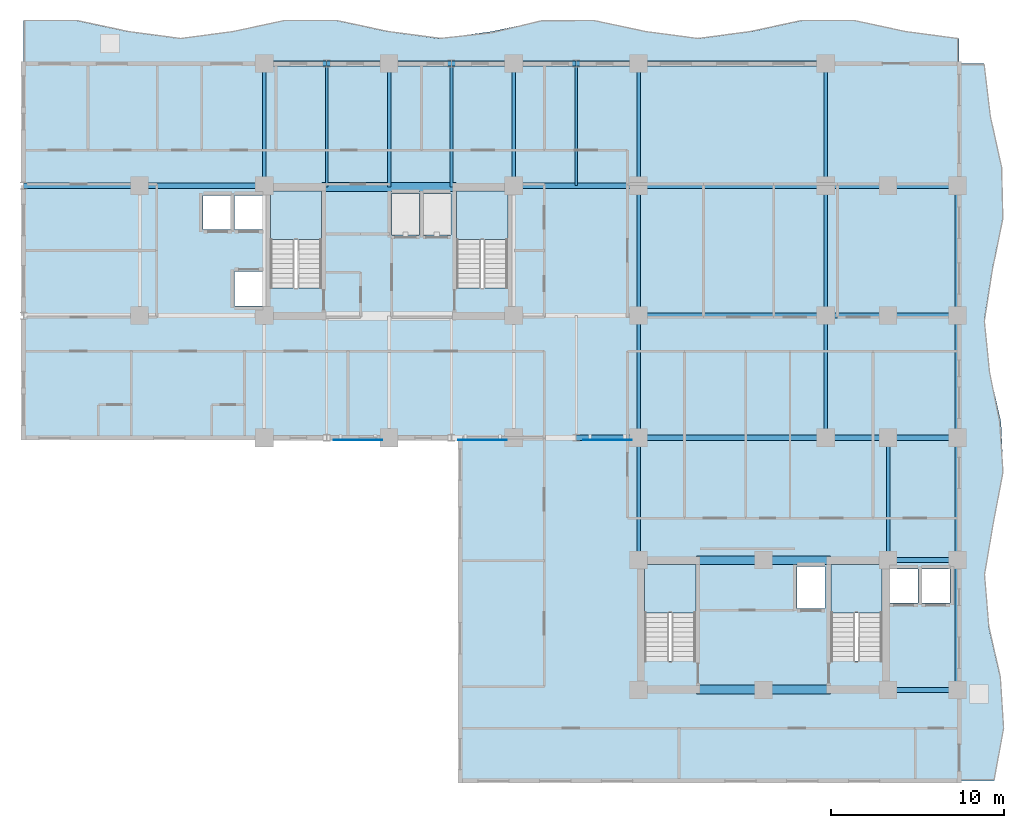
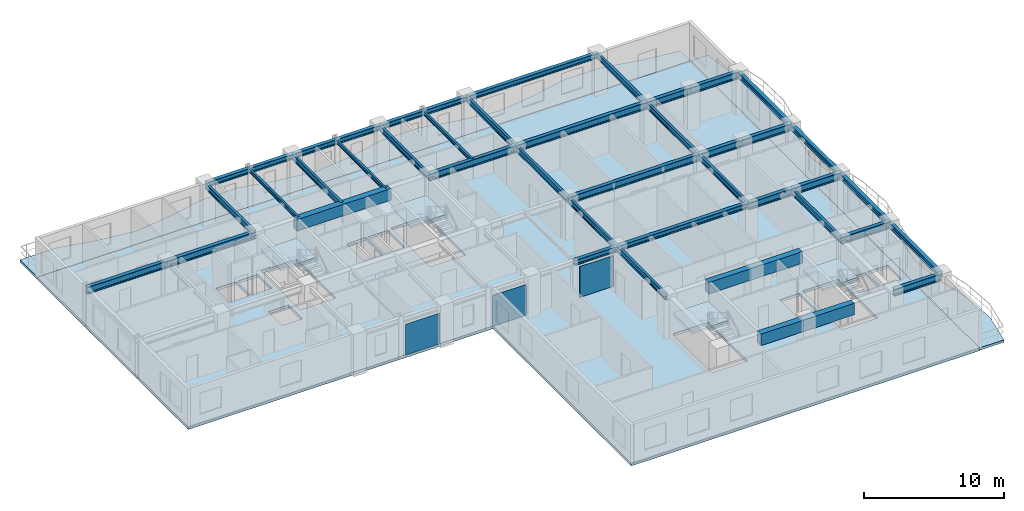
# One storey, part 3 of 14: 43 beams, 7 slabs, 3 plates, 4 elements without a shape of their own.
"""IFC4 building model written with IfcOpenShell, lengths in metres."""

import ifcopenshell
import ifcopenshell.guid

model = None  # the IFC model being written
_history = None  # IfcOwnerHistory: only IFC2X3 demands one
_inside = {}  # id of a spatial element -> (the spatial element, [elements in it])
_under = {}  # id of a project, library or spatial element -> (it, [spatial elements below it])
_declared = {}  # id of a project -> (the project, [libraries it declares])
_typed = {}  # id of a type object -> (the type object, [elements of that type])
_made_of = {}  # id of a material, layer set ... -> (it, [elements and type objects made of it])


def new_model(schema):
    """Start an empty IFC model of exactly this schema.

    Asked for "IFC4X3", IfcOpenShell would pick the latest addendum, in which some entities
    have other attributes; the version numbers below select the first issue.
    IFC2X3 requires an IfcOwnerHistory on every rooted entity: one is made here for all.
    """
    global model, _history
    if schema == "IFC4X3":
        model = ifcopenshell.file(schema_version=(4, 3, 0, 0))
    else:
        model = ifcopenshell.file(schema=schema)
    _inside.clear()
    _under.clear()
    _declared.clear()
    _typed.clear()
    _made_of.clear()
    _history = None
    if model.schema == "IFC2X3":
        org = make("IfcOrganization", Name="unknown")
        user = make(
            "IfcPersonAndOrganization",
            ThePerson=make("IfcPerson", FamilyName="unknown"),
            TheOrganization=org,
        )
        app = make(
            "IfcApplication",
            ApplicationDeveloper=org,
            Version="unknown",
            ApplicationFullName="unknown",
            ApplicationIdentifier="unknown",
        )
        _history = make(
            "IfcOwnerHistory",
            OwningUser=user,
            OwningApplication=app,
            ChangeAction="ADDED",
            CreationDate=0,
        )
    return model


def make(cls, **values):
    """One entity of the class cls with the attributes given. An attribute that is None is left unset."""
    return model.create_entity(
        cls, **{name: value for name, value in values.items() if value is not None}
    )


def rooted(cls, **values):
    """An entity with a GlobalId (a new one), such as an element, a storey or a relation."""
    return make(cls, GlobalId=ifcopenshell.guid.new(), OwnerHistory=_history, **values)


def si_unit(unit_type, name, prefix=None):
    """IfcSIUnit, for example si_unit("LENGTHUNIT", "METRE", prefix="MILLI")."""
    return make("IfcSIUnit", UnitType=unit_type, Prefix=prefix, Name=name)


def assignment(units):
    """IfcUnitAssignment: the units of a project."""
    return None if units is None else make("IfcUnitAssignment", Units=units)


def point(xyz):
    """IfcCartesianPoint."""
    return None if xyz is None else make("IfcCartesianPoint", Coordinates=xyz)


def direction(xyz):
    """IfcDirection."""
    return None if xyz is None else make("IfcDirection", DirectionRatios=xyz)


def frame(location, z_axis=None, x_axis=None):
    """IfcAxis2Placement3D, a coordinate frame: its origin and axes. An axis left out is left unset."""
    return make(
        "IfcAxis2Placement3D",
        Location=point(location),
        Axis=direction(z_axis),
        RefDirection=direction(x_axis),
    )


def frame_2d(location, x_axis=None):
    """IfcAxis2Placement2D, a coordinate frame in the plane: its origin and x axis."""
    return make(
        "IfcAxis2Placement2D", Location=point(location), RefDirection=direction(x_axis)
    )


def origin():
    """The frame at (0, 0, 0) with its axes left unset."""
    return frame((0.0, 0.0, 0.0))


def origin_2d():
    """The frame at (0, 0) in the plane with its x axis left unset."""
    return frame_2d((0.0, 0.0))


def place(relative_to, where):
    """IfcLocalPlacement: puts the frame where relative to a parent placement (None: the world)."""
    return make(
        "IfcLocalPlacement", PlacementRelTo=relative_to, RelativePlacement=where
    )


def context(
    kind, dimensions, precision=None, world=None, true_north=None, identifier=None
):
    """IfcGeometricRepresentationContext, for example the 3D "Model" context."""
    return make(
        "IfcGeometricRepresentationContext",
        ContextIdentifier=identifier,
        ContextType=kind,
        CoordinateSpaceDimension=dimensions,
        Precision=precision,
        WorldCoordinateSystem=world,
        TrueNorth=true_north,
    )


def subcontext(parent, identifier, kind, view, scale=None):
    """IfcGeometricRepresentationSubContext, for example "Body" below "Model"."""
    return make(
        "IfcGeometricRepresentationSubContext",
        ContextIdentifier=identifier,
        ContextType=kind,
        ParentContext=parent,
        TargetScale=scale,
        TargetView=view,
    )


def project(units=None, contexts=None):
    """IfcProject with its units and contexts."""
    return rooted(
        "IfcProject",
        Name="project",
        RepresentationContexts=contexts,
        UnitsInContext=assignment(units),
    )


def spatial(cls, under=None, at=None, **own):
    """A site, building, storey or space (cls), placed at a placement, below another one or the project."""
    s = rooted(cls, ObjectPlacement=at, **own)
    if under is not None:
        _under.setdefault(under.id(), (under, []))[1].append(s)
    return s


def polyline(points):
    """IfcPolyline through the points."""
    return make("IfcPolyline", Points=[point(p) for p in points])


def profile(cls, at=None, kind="AREA", **sizes):
    """A parametric profile (cls). Its sizes go by their IFC names, for example OverallWidth=200.0."""
    return make(cls, ProfileType=kind, Position=at, **sizes)


def rectangle(**sizes):
    """IfcRectangleProfileDef."""
    return profile("IfcRectangleProfileDef", **sizes)


def i_section(**sizes):
    """IfcIShapeProfileDef."""
    return profile("IfcIShapeProfileDef", **sizes)


def outline(outer, holes=None, kind="AREA"):
    """IfcArbitraryClosedProfileDef: a profile drawn as a closed curve; with holes, ...WithVoids."""
    if holes is None:
        return make("IfcArbitraryClosedProfileDef", ProfileType=kind, OuterCurve=outer)
    return make(
        "IfcArbitraryProfileDefWithVoids",
        ProfileType=kind,
        OuterCurve=outer,
        InnerCurves=holes,
    )


def extrude(swept, where, along, depth):
    """IfcExtrudedAreaSolid: the profile swept, set in the frame where, extruded along a direction by depth."""
    return make(
        "IfcExtrudedAreaSolid",
        SweptArea=swept,
        Position=where,
        ExtrudedDirection=direction(along),
        Depth=depth,
    )


def shape(context_of_items, identifier, shape_type, items):
    """IfcShapeRepresentation: the items that make up one representation, for example the "Body"."""
    return make(
        "IfcShapeRepresentation",
        ContextOfItems=context_of_items,
        RepresentationIdentifier=identifier,
        RepresentationType=shape_type,
        Items=items,
    )


def source(mapping_origin, context_of_items, identifier, shape_type, items):
    """IfcRepresentationMap: a shape defined once, which mapped items show again and again."""
    return make(
        "IfcRepresentationMap",
        MappingOrigin=mapping_origin,
        MappedRepresentation=shape(context_of_items, identifier, shape_type, items),
    )


def transform(
    local_origin,
    x_axis=None,
    y_axis=None,
    z_axis=None,
    scale=None,
    scale2=None,
    scale3=None,
    uniform=True,
):
    """IfcCartesianTransformationOperator3D, or its non-uniform kind. x_axis, y_axis, z_axis: its Axis1, 2, 3."""
    if uniform:
        return make(
            "IfcCartesianTransformationOperator3D",
            Axis1=direction(x_axis),
            Axis2=direction(y_axis),
            LocalOrigin=point(local_origin),
            Scale=scale,
            Axis3=direction(z_axis),
        )
    return make(
        "IfcCartesianTransformationOperator3DnonUniform",
        Axis1=direction(x_axis),
        Axis2=direction(y_axis),
        LocalOrigin=point(local_origin),
        Scale=scale,
        Axis3=direction(z_axis),
        Scale2=scale2,
        Scale3=scale3,
    )


def mapped(mapping_source, mapping_target):
    """IfcMappedItem: shows the shape of a source again, moved by a transform."""
    return make(
        "IfcMappedItem", MappingSource=mapping_source, MappingTarget=mapping_target
    )


def material(Name=None, Category=None):
    """IfcMaterial."""
    return make("IfcMaterial", Name=Name, Category=Category)


def layer(
    of_material, thickness, ventilated=None, Name=None, Category=None, Priority=None
):
    """IfcMaterialLayer: one layer of a wall or slab, of a material (None: an air gap)."""
    return make(
        "IfcMaterialLayer",
        Material=of_material,
        LayerThickness=thickness,
        IsVentilated=ventilated,
        Name=Name,
        Category=Category,
        Priority=Priority,
    )


def layer_set(layers, Name=None):
    """IfcMaterialLayerSet."""
    return make("IfcMaterialLayerSet", MaterialLayers=layers, LayerSetName=Name)


def material_profile(
    of_material, cross_section, Name=None, Category=None, Priority=None
):
    """IfcMaterialProfile: a cross section and its material."""
    return make(
        "IfcMaterialProfile",
        Name=Name,
        Material=of_material,
        Profile=cross_section,
        Priority=Priority,
        Category=Category,
    )


def profile_set(profiles, Name=None, composite=None):
    """IfcMaterialProfileSet."""
    return make(
        "IfcMaterialProfileSet",
        Name=Name,
        MaterialProfiles=profiles,
        CompositeProfile=composite,
    )


def made_of(thing, what):
    """Note that an element or type object is made of a material, layer set ...; save() writes the relation."""
    if what is not None:
        _made_of.setdefault(what.id(), (what, []))[1].append(thing)
    return thing


def type_object(cls, material=None, **own):
    """A type object (cls), such as IfcWallType, which elements share."""
    return made_of(rooted(cls, **own), material)


def element(
    cls,
    number,
    at=None,
    inside=None,
    cuts=None,
    type_object=None,
    material=None,
    context=None,
    identifier="Body",
    shape_type=None,
    held_by="IfcProductDefinitionShape",
    body=None,
    shapes=None,
    **own,
):
    """One element of the class cls, such as IfcWall. Its Tag is "e" and its number.

    at: its placement. inside: the storey or other place that contains it. cuts: it is an
    opening in that element (IfcRelVoidsElement). A single representation is given by context,
    identifier, shape_type and body (its items); several are given by shapes. held_by: the class
    of the entity that holds the representations. save() writes the other relations.
    """
    e = rooted(cls, Tag="e%d" % number, ObjectPlacement=at, **own)
    if body is not None:
        shapes = [shape(context, identifier, shape_type, body)]
    if shapes is not None:
        e.Representation = make(held_by, Representations=shapes)
    if inside is not None:
        _inside.setdefault(inside.id(), (inside, []))[1].append(e)
    if cuts is not None:
        rooted(
            "IfcRelVoidsElement", RelatingBuildingElement=cuts, RelatedOpeningElement=e
        )
    if type_object is not None:
        _typed.setdefault(type_object.id(), (type_object, []))[1].append(e)
    return made_of(e, material)


def aggregate(whole, parts):
    """IfcRelAggregates: a whole, such as a stair, and the parts it consists of."""
    return rooted("IfcRelAggregates", RelatingObject=whole, RelatedObjects=parts)


def save(model, path):
    """Write the relations noted so far, then the file.

    IfcRelAggregates (storeys below a building ...), IfcRelContainedInSpatialStructure (elements
    in a storey), IfcRelDefinesByType, IfcRelAssociatesMaterial and IfcRelDeclares: one each for
    every whole, place, type object, material and project.
    """
    for whole, parts in _under.values():
        aggregate(whole, parts)
    for where, things in _inside.values():
        rooted(
            "IfcRelContainedInSpatialStructure",
            RelatedElements=things,
            RelatingStructure=where,
        )
    for kind, things in _typed.values():
        rooted("IfcRelDefinesByType", RelatedObjects=things, RelatingType=kind)
    for what, things in _made_of.values():
        rooted("IfcRelAssociatesMaterial", RelatedObjects=things, RelatingMaterial=what)
    for by, libraries in _declared.values():
        rooted("IfcRelDeclares", RelatingContext=by, RelatedDefinitions=libraries)
    model.write(path)


model = new_model("IFC4")

# Units and contexts
model_context = context("Model", 3, precision=1e-05, world=origin(), true_north=direction((0.0, 1.0)))
body_context = subcontext(model_context, "Body", "Model", "MODEL_VIEW")
ifc_project = project(units=[si_unit("LENGTHUNIT", "METRE"), si_unit("AREAUNIT", "SQUARE_METRE"), si_unit("VOLUMEUNIT", "CUBIC_METRE"), si_unit("PLANEANGLEUNIT", "RADIAN"), si_unit("MASSUNIT", "GRAM", prefix="KILO")], contexts=[model_context])

# Site, building, storey
site_placement = place(None, origin())
site = spatial("IfcSite", under=ifc_project, at=site_placement, CompositionType="ELEMENT")
building_placement = place(site_placement, origin())
building = spatial("IfcBuilding", under=site, at=building_placement, Name="Kaliganga Portal Commons", CompositionType="ELEMENT")
storey_placement = place(building_placement, frame((0.0, 0.0, 151.300048828125)))
storey = spatial("IfcBuildingStorey", under=building, at=storey_placement, Name="L38", CompositionType="ELEMENT", Elevation=151.300048828125)

# Beams
ifc_material_1 = material(Name="Concrete C50/60", Category="concrete")
ifc_material_profile_1 = material_profile(ifc_material_1, rectangle(XDim=0.5, YDim=1.0, at=origin_2d()), Name="RC 500x1000")
ifc_profile_set_1 = profile_set([ifc_material_profile_1], Name="Concrete C50/60")
beam_type_1 = type_object("IfcBeamType", Name="BM-CPL-1000", PredefinedType="LINTEL", material=ifc_profile_set_1)
shared_shape_1 = source(origin(), body_context, "Body", "SweptSolid", [
    extrude(rectangle(XDim=0.5, YDim=1.0, at=origin_2d()), origin(), (0.0, 0.0, 1.0), 7.739990234375),
])
for number, where, z_axis, x_axis, name in (
    (1, (17.72998046875, 36.074951171875, 2.9599609375), (1.0, 0.0, 0.0), (0.0, 1.0, 0.0), "BM CPL COREA L38 N"),
    (2, (39.330078125, 7.074951171875, 2.9599609375), (1.0, 0.0, 0.0), (0.0, 1.0, 0.0), "BM CPL COREB L38 S"),
    (3, (39.330078125, 14.52490234375, 2.9599609375), (1.0, 0.0, 0.0), (0.0, 1.0, 0.0), "BM CPL COREB L38 N"),
):
    element("IfcBeam", number, at=place(storey_placement, frame(where, z_axis=z_axis, x_axis=x_axis)), inside=storey, type_object=beam_type_1, Name=name, PredefinedType="LINTEL", context=body_context, shape_type="MappedRepresentation", body=[
        mapped(shared_shape_1, transform((0.0, 0.0, 0.0), x_axis=(1.0, 0.0, 0.0), y_axis=(0.0, 1.0, 0.0), z_axis=(0.0, 0.0, 1.0), scale=1.0)),
    ])
ifc_material_2 = material(Name="Structural steel S355J2", Category="steel")
ifc_material_profile_2 = material_profile(ifc_material_2, i_section(OverallWidth=0.199951171875, OverallDepth=0.5, WebThickness=0.01025390625, FlangeThickness=0.01611328125, FilletRadius=0.02099609375, at=origin_2d()), Name="IPE 500")
ifc_profile_set_2 = profile_set([ifc_material_profile_2], Name="Structural steel S355J2 wide-flange")
beam_type_2 = type_object("IfcBeamType", Name="BM-FLR-500", PredefinedType="BEAM", material=ifc_profile_set_2)
shared_shape_2 = source(origin(), body_context, "Body", "SweptSolid", [
    extrude(i_section(OverallWidth=0.199951171875, OverallDepth=0.5, WebThickness=0.01025390625, FlangeThickness=0.01611328125, FilletRadius=0.02099609375, at=origin_2d()), origin(), (0.0, 0.0, 1.0), 7.5),
])
for number, where, z_axis, x_axis, name in (
    (4, (36.0, 28.64990234375, 3.2099609375), (0.0, 1.0, 0.0), (-1.0, 0.0, 0.0), "BM G L38 AM360"),
    (5, (46.800048828125, 28.64990234375, 3.2099609375), (0.0, 1.0, 0.0), (-1.0, 0.0, 0.0), "BM G L38 AM468"),
):
    element("IfcBeam", number, at=place(storey_placement, frame(where, z_axis=z_axis, x_axis=x_axis)), inside=storey, type_object=beam_type_2, Name=name, PredefinedType="BEAM", context=body_context, shape_type="MappedRepresentation", body=[
        mapped(shared_shape_2, transform((0.0, 0.0, 0.0), x_axis=(1.0, 0.0, 0.0), y_axis=(0.0, 1.0, 0.0), z_axis=(0.0, 0.0, 1.0), scale=1.0)),
    ])
shared_shape_3 = source(origin(), body_context, "Body", "SweptSolid", [
    extrude(i_section(OverallWidth=0.199951171875, OverallDepth=0.5, WebThickness=0.01025390625, FlangeThickness=0.01611328125, FilletRadius=0.02099609375, at=origin_2d()), origin(), (0.0, 0.0, 1.0), 7.050048828125),
])
for number, where, z_axis, x_axis, name in (
    (6, (14.39990234375, 36.14990234375, 3.2099609375), (0.0, 1.0, 0.0), (-1.0, 0.0, 0.0), "BM G L38 AN144"),
    (7, (28.800048828125, 36.14990234375, 3.2099609375), (0.0, 1.0, 0.0), (-1.0, 0.0, 0.0), "BM G L38 AN288"),
    (8, (36.0, 36.14990234375, 3.2099609375), (0.0, 1.0, 0.0), (-1.0, 0.0, 0.0), "BM G L38 AN360"),
    (9, (46.800048828125, 36.14990234375, 3.2099609375), (0.0, 1.0, 0.0), (-1.0, 0.0, 0.0), "BM G L38 AN468"),
    (10, (36.0, 14.550048828125, 3.2099609375), (0.0, 1.0, 0.0), (-1.0, 0.0, 0.0), "BM G L38 BNK360"),
    (11, (50.39990234375, 14.550048828125, 3.2099609375), (0.0, 1.0, 0.0), (-1.0, 0.0, 0.0), "BM G L38 BNK504"),
):
    element("IfcBeam", number, at=place(storey_placement, frame(where, z_axis=z_axis, x_axis=x_axis)), inside=storey, type_object=beam_type_2, Name=name, PredefinedType="BEAM", context=body_context, shape_type="MappedRepresentation", body=[
        mapped(shared_shape_3, transform((0.0, 0.0, 0.0), x_axis=(1.0, 0.0, 0.0), y_axis=(0.0, 1.0, 0.0), z_axis=(0.0, 0.0, 1.0), scale=1.0)),
    ])
shared_shape_4 = source(origin(), body_context, "Body", "SweptSolid", [
    extrude(i_section(OverallWidth=0.199951171875, OverallDepth=0.5, WebThickness=0.01025390625, FlangeThickness=0.01611328125, FilletRadius=0.02099609375, at=origin_2d()), origin(), (0.0, 0.0, 1.0), 7.0498046875),
])
for number, where, z_axis, x_axis, name in (
    (12, (36.0, 21.60009765625, 3.2099609375), (0.0, 1.0, 0.0), (-1.0, 0.0, 0.0), "BM G L38 AS360"),
    (13, (46.800048828125, 21.60009765625, 3.2099609375), (0.0, 1.0, 0.0), (-1.0, 0.0, 0.0), "BM G L38 AS468"),
):
    element("IfcBeam", number, at=place(storey_placement, frame(where, z_axis=z_axis, x_axis=x_axis)), inside=storey, type_object=beam_type_2, Name=name, PredefinedType="BEAM", context=body_context, shape_type="MappedRepresentation", body=[
        mapped(shared_shape_4, transform((0.0, 0.0, 0.0), x_axis=(1.0, 0.0, 0.0), y_axis=(0.0, 1.0, 0.0), z_axis=(0.0, 0.0, 1.0), scale=1.0)),
    ])
ifc_material_profile_3 = material_profile(ifc_material_2, i_section(OverallWidth=0.300048828125, OverallDepth=0.449951171875, WebThickness=0.013916015625, FlangeThickness=0.02587890625, FilletRadius=0.027099609375, at=origin_2d()), Name="HE 450 B")
ifc_profile_set_3 = profile_set([ifc_material_profile_3], Name="Structural steel S355J2 wide-flange")
beam_type_3 = type_object("IfcBeamType", Name="BM-SPAND-450", PredefinedType="SPANDREL", material=ifc_profile_set_3)
shared_shape_5 = source(origin(), body_context, "Body", "SweptSolid", [
    extrude(i_section(OverallWidth=0.300048828125, OverallDepth=0.449951171875, WebThickness=0.013916015625, FlangeThickness=0.02587890625, FilletRadius=0.027099609375, at=origin_2d()), origin(), (0.0, 0.0, 1.0), 3.60009765625),
])
for number, where, z_axis, x_axis, name in (
    (14, (14.39990234375, 43.199951171875, 3.23486328125), (1.0, 0.0, 0.0), (0.0, 1.0, 0.0), "BM SP L38 AN 1"),
    (15, (18.0, 43.199951171875, 3.23486328125), (1.0, 0.0, 0.0), (0.0, 1.0, 0.0), "BM SP L38 AN 2"),
    (16, (25.199951171875, 43.199951171875, 3.23486328125), (1.0, 0.0, 0.0), (0.0, 1.0, 0.0), "BM SP L38 AN 4"),
    (17, (32.39990234375, 43.199951171875, 3.23486328125), (1.0, 0.0, 0.0), (0.0, 1.0, 0.0), "BM SP L38 AN 6"),
    (18, (32.39990234375, 21.60009765625, 3.23486328125), (1.0, 0.0, 0.0), (0.0, 1.0, 0.0), "BM SP L38 AS 6"),
):
    element("IfcBeam", number, at=place(storey_placement, frame(where, z_axis=z_axis, x_axis=x_axis)), inside=storey, type_object=beam_type_3, Name=name, PredefinedType="SPANDREL", context=body_context, shape_type="MappedRepresentation", body=[
        mapped(shared_shape_5, transform((0.0, 0.0, 0.0), x_axis=(1.0, 0.0, 0.0), y_axis=(0.0, 1.0, 0.0), z_axis=(0.0, 0.0, 1.0), scale=1.0)),
    ])
shared_shape_6 = source(origin(), body_context, "Body", "SweptSolid", [
    extrude(i_section(OverallWidth=0.300048828125, OverallDepth=0.449951171875, WebThickness=0.013916015625, FlangeThickness=0.02587890625, FilletRadius=0.027099609375, at=origin_2d()), origin(), (0.0, 0.0, 1.0), 3.599853515625),
])
for number, where, z_axis, x_axis, name in (
    (19, (21.60009765625, 43.199951171875, 3.23486328125), (1.0, 0.0, 0.0), (0.0, 1.0, 0.0), "BM SP L38 AN 3"),
    (20, (28.800048828125, 43.199951171875, 3.23486328125), (1.0, 0.0, 0.0), (0.0, 1.0, 0.0), "BM SP L38 AN 5"),
):
    element("IfcBeam", number, at=place(storey_placement, frame(where, z_axis=z_axis, x_axis=x_axis)), inside=storey, type_object=beam_type_3, Name=name, PredefinedType="SPANDREL", context=body_context, shape_type="MappedRepresentation", body=[
        mapped(shared_shape_6, transform((0.0, 0.0, 0.0), x_axis=(1.0, 0.0, 0.0), y_axis=(0.0, 1.0, 0.0), z_axis=(0.0, 0.0, 1.0), scale=1.0)),
    ])
shared_shape_7 = source(origin(), body_context, "Body", "SweptSolid", [
    extrude(i_section(OverallWidth=0.300048828125, OverallDepth=0.449951171875, WebThickness=0.013916015625, FlangeThickness=0.02587890625, FilletRadius=0.027099609375, at=origin_2d()), origin(), (0.0, 0.0, 1.0), 10.800048828125),
])
for number, where, z_axis, x_axis, name in (
    (21, (36.0, 43.199951171875, 3.23486328125), (1.0, 0.0, 0.0), (0.0, 1.0, 0.0), "BM SP L38 AN 7"),
    (22, (36.0, 21.60009765625, 3.23486328125), (1.0, 0.0, 0.0), (0.0, 1.0, 0.0), "BM SP L38 AS 7"),
):
    element("IfcBeam", number, at=place(storey_placement, frame(where, z_axis=z_axis, x_axis=x_axis)), inside=storey, type_object=beam_type_3, Name=name, PredefinedType="SPANDREL", context=body_context, shape_type="MappedRepresentation", body=[
        mapped(shared_shape_7, transform((0.0, 0.0, 0.0), x_axis=(1.0, 0.0, 0.0), y_axis=(0.0, 1.0, 0.0), z_axis=(0.0, 0.0, 1.0), scale=1.0)),
    ])
ifc_material_profile_4 = material_profile(ifc_material_2, i_section(OverallWidth=0.159912109375, OverallDepth=0.330078125, WebThickness=0.007568359375, FlangeThickness=0.011474609375, FilletRadius=0.01806640625, at=origin_2d()), Name="IPE 330")
ifc_profile_set_4 = profile_set([ifc_material_profile_4], Name="Structural steel S355J2 wide-flange")
beam_type_4 = type_object("IfcBeamType", Name="BM-JST-330", PredefinedType="JOIST", material=ifc_profile_set_4)
shared_shape_8 = source(origin(), body_context, "Body", "SweptSolid", [
    extrude(i_section(OverallWidth=0.159912109375, OverallDepth=0.330078125, WebThickness=0.007568359375, FlangeThickness=0.011474609375, FilletRadius=0.01806640625, at=origin_2d()), origin(), (0.0, 0.0, 1.0), 7.050048828125),
])
beam_1_placement = place(storey_placement, frame((32.39990234375, 36.14990234375, 3.294921875), z_axis=(0.0, 1.0, 0.0), x_axis=(-1.0, 0.0, 0.0)))
element("IfcBeam", 23, at=beam_1_placement, inside=storey, type_object=beam_type_4, Name="BM G L38 AN324", PredefinedType="JOIST", context=body_context, shape_type="MappedRepresentation", body=[
    mapped(shared_shape_8, transform((0.0, 0.0, 0.0), x_axis=(1.0, 0.0, 0.0), y_axis=(0.0, 1.0, 0.0), z_axis=(0.0, 0.0, 1.0), scale=1.0)),
])
shared_shape_9 = source(origin(), body_context, "Body", "SweptSolid", [
    extrude(i_section(OverallWidth=0.300048828125, OverallDepth=0.449951171875, WebThickness=0.013916015625, FlangeThickness=0.02587890625, FilletRadius=0.027099609375, at=origin_2d()), origin(), (0.0, 0.0, 1.0), 7.5),
])
for number, where, z_axis, x_axis, name in (
    (24, (54.39990234375, 7.050048828125, 3.23486328125), (0.0, 1.0, 0.0), (-1.0, 0.0, 0.0), "BM SP L38 BE 1"),
    (25, (54.39990234375, 28.64990234375, 3.23486328125), (0.0, 1.0, 0.0), (-1.0, 0.0, 0.0), "BM SP L38 BE 4"),
):
    element("IfcBeam", number, at=place(storey_placement, frame(where, z_axis=z_axis, x_axis=x_axis)), inside=storey, type_object=beam_type_3, Name=name, PredefinedType="SPANDREL", context=body_context, shape_type="MappedRepresentation", body=[
        mapped(shared_shape_9, transform((0.0, 0.0, 0.0), x_axis=(1.0, 0.0, 0.0), y_axis=(0.0, 1.0, 0.0), z_axis=(0.0, 0.0, 1.0), scale=1.0)),
    ])
shared_shape_10 = source(origin(), body_context, "Body", "SweptSolid", [
    extrude(i_section(OverallWidth=0.300048828125, OverallDepth=0.449951171875, WebThickness=0.013916015625, FlangeThickness=0.02587890625, FilletRadius=0.027099609375, at=origin_2d()), origin(), (0.0, 0.0, 1.0), 7.050048828125),
])
beam_2_placement = place(storey_placement, frame((54.39990234375, 14.550048828125, 3.23486328125), z_axis=(0.0, 1.0, 0.0), x_axis=(-1.0, 0.0, 0.0)))
element("IfcBeam", 26, at=beam_2_placement, inside=storey, type_object=beam_type_3, Name="BM SP L38 BE 2", PredefinedType="SPANDREL", context=body_context, shape_type="MappedRepresentation", body=[
    mapped(shared_shape_10, transform((0.0, 0.0, 0.0), x_axis=(1.0, 0.0, 0.0), y_axis=(0.0, 1.0, 0.0), z_axis=(0.0, 0.0, 1.0), scale=1.0)),
])
shared_shape_11 = source(origin(), body_context, "Body", "SweptSolid", [
    extrude(i_section(OverallWidth=0.300048828125, OverallDepth=0.449951171875, WebThickness=0.013916015625, FlangeThickness=0.02587890625, FilletRadius=0.027099609375, at=origin_2d()), origin(), (0.0, 0.0, 1.0), 7.0498046875),
])
beam_3_placement = place(storey_placement, frame((54.39990234375, 21.60009765625, 3.23486328125), z_axis=(0.0, 1.0, 0.0), x_axis=(-1.0, 0.0, 0.0)))
element("IfcBeam", 27, at=beam_3_placement, inside=storey, type_object=beam_type_3, Name="BM SP L38 BE 3", PredefinedType="SPANDREL", context=body_context, shape_type="MappedRepresentation", body=[
    mapped(shared_shape_11, transform((0.0, 0.0, 0.0), x_axis=(1.0, 0.0, 0.0), y_axis=(0.0, 1.0, 0.0), z_axis=(0.0, 0.0, 1.0), scale=1.0)),
])
ifc_material_profile_5 = material_profile(ifc_material_2, i_section(OverallWidth=0.300048828125, OverallDepth=0.60009765625, WebThickness=0.015380859375, FlangeThickness=0.030029296875, FilletRadius=0.027099609375, at=origin_2d()), Name="HE 600 B")
ifc_profile_set_5 = profile_set([ifc_material_profile_5], Name="Structural steel S355J2 wide-flange")
beam_type_5 = type_object("IfcBeamType", Name="BM-GIRD-600", PredefinedType="USERDEFINED", material=ifc_profile_set_5)
shared_shape_12 = source(origin(), body_context, "Body", "SweptSolid", [
    extrude(i_section(OverallWidth=0.300048828125, OverallDepth=0.60009765625, WebThickness=0.015380859375, FlangeThickness=0.030029296875, FilletRadius=0.027099609375, at=origin_2d()), origin(), (0.0, 0.0, 1.0), 6.699951171875),
])
beam_4_placement = place(storey_placement, frame((0.5, 36.14990234375, 3.159912109375), z_axis=(1.0, 0.0, 0.0), x_axis=(0.0, 1.0, 0.0)))
element("IfcBeam", 28, at=beam_4_placement, inside=storey, type_object=beam_type_5, Name="BM G L38 WAH_N 1", ObjectType="GIRDER", PredefinedType="USERDEFINED", context=body_context, shape_type="MappedRepresentation", body=[
    mapped(shared_shape_12, transform((0.0, 0.0, 0.0), x_axis=(1.0, 0.0, 0.0), y_axis=(0.0, 1.0, 0.0), z_axis=(0.0, 0.0, 1.0), scale=1.0)),
])
shared_shape_13 = source(origin(), body_context, "Body", "SweptSolid", [
    extrude(i_section(OverallWidth=0.300048828125, OverallDepth=0.60009765625, WebThickness=0.015380859375, FlangeThickness=0.030029296875, FilletRadius=0.027099609375, at=origin_2d()), origin(), (0.0, 0.0, 1.0), 7.199951171875),
])
for number, where, z_axis, x_axis, name in (
    (29, (7.199951171875, 36.14990234375, 3.159912109375), (1.0, 0.0, 0.0), (0.0, 1.0, 0.0), "BM G L38 WAH_N 2"),
    (30, (28.800048828125, 36.14990234375, 3.159912109375), (1.0, 0.0, 0.0), (0.0, 1.0, 0.0), "BM G L38 WAE_N 1"),
):
    element("IfcBeam", number, at=place(storey_placement, frame(where, z_axis=z_axis, x_axis=x_axis)), inside=storey, type_object=beam_type_5, Name=name, ObjectType="GIRDER", PredefinedType="USERDEFINED", context=body_context, shape_type="MappedRepresentation", body=[
        mapped(shared_shape_13, transform((0.0, 0.0, 0.0), x_axis=(1.0, 0.0, 0.0), y_axis=(0.0, 1.0, 0.0), z_axis=(0.0, 0.0, 1.0), scale=1.0)),
    ])
shared_shape_14 = source(origin(), body_context, "Body", "SweptSolid", [
    extrude(i_section(OverallWidth=0.300048828125, OverallDepth=0.60009765625, WebThickness=0.015380859375, FlangeThickness=0.030029296875, FilletRadius=0.027099609375, at=origin_2d()), origin(), (0.0, 0.0, 1.0), 10.800048828125),
])
for number, where, z_axis, x_axis, name in (
    (31, (36.0, 28.64990234375, 3.159912109375), (1.0, 0.0, 0.0), (0.0, 1.0, 0.0), "BM G L38 WAE_S 2"),
    (32, (36.0, 36.14990234375, 3.159912109375), (1.0, 0.0, 0.0), (0.0, 1.0, 0.0), "BM G L38 WAE_N 2"),
):
    element("IfcBeam", number, at=place(storey_placement, frame(where, z_axis=z_axis, x_axis=x_axis)), inside=storey, type_object=beam_type_5, Name=name, ObjectType="GIRDER", PredefinedType="USERDEFINED", context=body_context, shape_type="MappedRepresentation", body=[
        mapped(shared_shape_14, transform((0.0, 0.0, 0.0), x_axis=(1.0, 0.0, 0.0), y_axis=(0.0, 1.0, 0.0), z_axis=(0.0, 0.0, 1.0), scale=1.0)),
    ])
shared_shape_15 = source(origin(), body_context, "Body", "SweptSolid", [
    extrude(i_section(OverallWidth=0.159912109375, OverallDepth=0.330078125, WebThickness=0.007568359375, FlangeThickness=0.011474609375, FilletRadius=0.01806640625, at=origin_2d()), origin(), (0.0, 0.0, 1.0), 7.125),
])
for number, where, z_axis, x_axis, name in (
    (33, (18.0, 36.074951171875, 3.294921875), (0.0, 1.0, 0.0), (-1.0, 0.0, 0.0), "BM G L38 AN180"),
    (34, (25.199951171875, 36.074951171875, 3.294921875), (0.0, 1.0, 0.0), (-1.0, 0.0, 0.0), "BM G L38 AN252"),
):
    element("IfcBeam", number, at=place(storey_placement, frame(where, z_axis=z_axis, x_axis=x_axis)), inside=storey, type_object=beam_type_4, Name=name, PredefinedType="JOIST", context=body_context, shape_type="MappedRepresentation", body=[
        mapped(shared_shape_15, transform((0.0, 0.0, 0.0), x_axis=(1.0, 0.0, 0.0), y_axis=(0.0, 1.0, 0.0), z_axis=(0.0, 0.0, 1.0), scale=1.0)),
    ])
shared_shape_16 = source(origin(), body_context, "Body", "SweptSolid", [
    extrude(i_section(OverallWidth=0.199951171875, OverallDepth=0.5, WebThickness=0.01025390625, FlangeThickness=0.01611328125, FilletRadius=0.02099609375, at=origin_2d()), origin(), (0.0, 0.0, 1.0), 7.125),
])
beam_5_placement = place(storey_placement, frame((21.60009765625, 36.074951171875, 3.2099609375), z_axis=(0.0, 1.0, 0.0), x_axis=(-1.0, 0.0, 0.0)))
element("IfcBeam", 35, at=beam_5_placement, inside=storey, type_object=beam_type_2, Name="BM G L38 AN216", PredefinedType="BEAM", context=body_context, shape_type="MappedRepresentation", body=[
    mapped(shared_shape_16, transform((0.0, 0.0, 0.0), x_axis=(1.0, 0.0, 0.0), y_axis=(0.0, 1.0, 0.0), z_axis=(0.0, 0.0, 1.0), scale=1.0)),
])
shared_shape_17 = source(origin(), body_context, "Body", "SweptSolid", [
    extrude(i_section(OverallWidth=0.300048828125, OverallDepth=0.60009765625, WebThickness=0.015380859375, FlangeThickness=0.030029296875, FilletRadius=0.027099609375, at=origin_2d()), origin(), (0.0, 0.0, 1.0), 4.0),
])
for number, where, z_axis, x_axis, name in (
    (36, (50.39990234375, 7.050048828125, 3.159912109375), (1.0, 0.0, 0.0), (0.0, 1.0, 0.0), "BM G L38 BKE70 1"),
    (37, (50.39990234375, 14.550048828125, 3.159912109375), (1.0, 0.0, 0.0), (0.0, 1.0, 0.0), "BM G L38 BKE146 1"),
    (38, (50.39990234375, 21.60009765625, 3.159912109375), (1.0, 0.0, 0.0), (0.0, 1.0, 0.0), "BM G L38 BKE216 2"),
    (39, (50.39990234375, 28.64990234375, 3.159912109375), (1.0, 0.0, 0.0), (0.0, 1.0, 0.0), "BM G L38 BKE286 2"),
    (40, (50.39990234375, 36.14990234375, 3.159912109375), (1.0, 0.0, 0.0), (0.0, 1.0, 0.0), "BM G L38 BKE362 2"),
):
    element("IfcBeam", number, at=place(storey_placement, frame(where, z_axis=z_axis, x_axis=x_axis)), inside=storey, type_object=beam_type_5, Name=name, ObjectType="GIRDER", PredefinedType="USERDEFINED", context=body_context, shape_type="MappedRepresentation", body=[
        mapped(shared_shape_17, transform((0.0, 0.0, 0.0), x_axis=(1.0, 0.0, 0.0), y_axis=(0.0, 1.0, 0.0), z_axis=(0.0, 0.0, 1.0), scale=1.0)),
    ])
shared_shape_18 = source(origin(), body_context, "Body", "SweptSolid", [
    extrude(i_section(OverallWidth=0.300048828125, OverallDepth=0.60009765625, WebThickness=0.015380859375, FlangeThickness=0.030029296875, FilletRadius=0.027099609375, at=origin_2d()), origin(), (0.0, 0.0, 1.0), 3.599853515625),
])
for number, where, z_axis, x_axis, name in (
    (41, (46.800048828125, 21.60009765625, 3.159912109375), (1.0, 0.0, 0.0), (0.0, 1.0, 0.0), "BM G L38 BKE216 1"),
    (42, (46.800048828125, 28.64990234375, 3.159912109375), (1.0, 0.0, 0.0), (0.0, 1.0, 0.0), "BM G L38 BKE286 1"),
    (43, (46.800048828125, 36.14990234375, 3.159912109375), (1.0, 0.0, 0.0), (0.0, 1.0, 0.0), "BM G L38 BKE362 1"),
):
    element("IfcBeam", number, at=place(storey_placement, frame(where, z_axis=z_axis, x_axis=x_axis)), inside=storey, type_object=beam_type_5, Name=name, ObjectType="GIRDER", PredefinedType="USERDEFINED", context=body_context, shape_type="MappedRepresentation", body=[
        mapped(shared_shape_18, transform((0.0, 0.0, 0.0), x_axis=(1.0, 0.0, 0.0), y_axis=(0.0, 1.0, 0.0), z_axis=(0.0, 0.0, 1.0), scale=1.0)),
    ])

# Slabs
ifc_material_3 = material(Name="Concrete C40/50", Category="concrete")
ifc_layer_1 = layer(ifc_material_3, 0.2099609375)
ifc_layer_set_1 = layer_set([ifc_layer_1], Name="Concrete C40/50")
slab_type_1 = type_object("IfcSlabType", Name="SLB-BALC-210", PredefinedType="FLOOR", material=ifc_layer_set_1)
slab_1_placement = place(storey_placement, frame((0.0, 0.0, -0.2099609375)))
element("IfcSlab", 44, at=slab_1_placement, inside=storey, type_object=slab_type_1, Name="Scalloped Tree-Planter Balcony Slab L38 balc_north", PredefinedType="FLOOR", context=body_context, shape_type="SweptSolid", body=[
    extrude(outline(polyline([(54.5, 43.199951171875), (54.5, 44.642822265625), (51.5, 45.042724609375), (48.5, 45.689453125), (45.5, 45.689453125), (42.5, 45.042724609375), (39.5, 44.642822265625), (36.5, 45.042724609375), (33.5, 45.689453125), (30.5, 45.689453125), (27.5, 45.042724609375), (24.5, 44.642822265625), (21.5, 45.042724609375), (18.5, 45.689453125), (15.5, 45.689453125), (12.5, 45.042724609375), (9.5, 44.642822265625), (6.5, 45.042724609375), (3.5, 45.689453125), (0.5, 45.689453125), (0.5, 43.199951171875), (54.5, 43.199951171875)])), origin(), (0.0, 0.0, 1.0), 0.2099609375),
])
slab_2_placement = place(storey_placement, frame((0.0, 0.0, -0.2099609375)))
element("IfcSlab", 45, at=slab_2_placement, inside=storey, type_object=slab_type_1, Name="Scalloped Tree-Planter Balcony Slab L38 balc_east", PredefinedType="FLOOR", context=body_context, shape_type="SweptSolid", body=[
    extrude(outline(polyline([(54.5, 1.800048828125), (56.521484375, 1.800048828125), (57.068359375, 4.757080078125), (56.878173828125, 7.71435546875), (56.20703125, 10.67138671875), (55.959716796875, 13.628662109375), (56.469482421875, 16.585693359375), (57.04931640625, 19.54296875), (56.91748046875, 22.5), (56.251953125, 25.45703125), (55.94970703125, 28.414306640625), (56.418212890625, 31.371337890625), (57.02587890625, 34.32861328125), (56.95361328125, 37.28564453125), (56.298828125, 40.242919921875), (55.944091796875, 43.199951171875), (54.5, 43.199951171875), (54.5, 1.800048828125)])), origin(), (0.0, 0.0, 1.0), 0.2099609375),
])

# Stair, slab
stair_type = type_object("IfcStairType", Name="ST-CORE-DOGLEG", PredefinedType="HALF_TURN_STAIR", material=ifc_material_3)
stair_1_placement = place(storey_placement, origin())
stair_1 = element("IfcStair", 46, at=stair_1_placement, inside=storey, type_object=stair_type, Name="L38 Protected Exit Stair ST-A1", PredefinedType="HALF_TURN_STAIR")
ifc_layer_2 = layer(ifc_material_3, 0.199951171875)
ifc_layer_set_2 = layer_set([ifc_layer_2], Name="Concrete C40/50")
slab_type_2 = type_object("IfcSlabType", Name="SLB-STAIR-LND", PredefinedType="LANDING", material=ifc_layer_set_2)
slab_3_placement = place(storey_placement, frame((0.0, 0.0, 1.64990234375)))
slab_3 = element("IfcSlab", 47, at=slab_3_placement, type_object=slab_type_2, Name="ST-A1 landing 1", PredefinedType="LANDING", context=body_context, shape_type="SweptSolid", body=[
    extrude(outline(polyline([(17.699951171875, 33.050048828125), (17.699951171875, 35.85009765625), (14.75, 35.85009765625), (14.75, 33.050048828125), (17.699951171875, 33.050048828125)])), origin(), (0.0, 0.0, 1.0), 0.199951171875),
])
aggregate(stair_1, [slab_3])

stair_2_placement = place(storey_placement, origin())
stair_2 = element("IfcStair", 48, at=stair_2_placement, inside=storey, type_object=stair_type, Name="L38 Protected Exit Stair ST-A2", PredefinedType="HALF_TURN_STAIR")
slab_4_placement = place(storey_placement, frame((0.0, 0.0, 1.64990234375)))
slab_4 = element("IfcSlab", 49, at=slab_4_placement, type_object=slab_type_2, Name="ST-A2 landing 1", PredefinedType="LANDING", context=body_context, shape_type="SweptSolid", body=[
    extrude(outline(polyline([(28.449951171875, 33.050048828125), (28.449951171875, 35.85009765625), (25.5, 35.85009765625), (25.5, 33.050048828125), (28.449951171875, 33.050048828125)])), origin(), (0.0, 0.0, 1.0), 0.199951171875),
])
aggregate(stair_2, [slab_4])

stair_3_placement = place(storey_placement, origin())
stair_3 = element("IfcStair", 50, at=stair_3_placement, inside=storey, type_object=stair_type, Name="L38 Protected Exit Stair ST-B1", PredefinedType="HALF_TURN_STAIR")
slab_5_placement = place(storey_placement, frame((0.0, 0.0, 1.64990234375)))
slab_5 = element("IfcSlab", 51, at=slab_5_placement, type_object=slab_type_2, Name="ST-B1 landing 1", PredefinedType="LANDING", context=body_context, shape_type="SweptSolid", body=[
    extrude(outline(polyline([(39.300048828125, 11.5), (39.300048828125, 14.300048828125), (36.35009765625, 14.300048828125), (36.35009765625, 11.5), (39.300048828125, 11.5)])), origin(), (0.0, 0.0, 1.0), 0.199951171875),
])
aggregate(stair_3, [slab_5])

stair_4_placement = place(storey_placement, origin())
stair_4 = element("IfcStair", 52, at=stair_4_placement, inside=storey, type_object=stair_type, Name="L38 Protected Exit Stair ST-B2", PredefinedType="HALF_TURN_STAIR")
slab_6_placement = place(storey_placement, frame((0.0, 0.0, 1.64990234375)))
slab_6 = element("IfcSlab", 53, at=slab_6_placement, type_object=slab_type_2, Name="ST-B2 landing 1", PredefinedType="LANDING", context=body_context, shape_type="SweptSolid", body=[
    extrude(outline(polyline([(50.050048828125, 11.5), (50.050048828125, 14.300048828125), (47.10009765625, 14.300048828125), (47.10009765625, 11.5), (50.050048828125, 11.5)])), origin(), (0.0, 0.0, 1.0), 0.199951171875),
])
aggregate(stair_4, [slab_6])

# Slab
ifc_layer_3 = layer(ifc_material_3, 0.239990234375)
ifc_layer_set_3 = layer_set([ifc_layer_3], Name="Concrete C40/50")
slab_type_3 = type_object("IfcSlabType", Name="SLB-TWR-240", PredefinedType="FLOOR", material=ifc_layer_set_3)
slab_7_placement = place(storey_placement, frame((0.0, 0.0, -0.239990234375)))
element("IfcSlab", 54, at=slab_7_placement, inside=storey, type_object=slab_type_3, Name="Structural Floor Slab L38", PredefinedType="FLOOR", context=body_context, shape_type="SweptSolid", body=[
    extrude(outline(polyline([(25.699951171875, 1.800048828125), (54.5, 1.800048828125), (54.5, 43.199951171875), (0.5, 43.199951171875), (0.5, 21.60009765625), (25.699951171875, 21.60009765625), (25.699951171875, 1.800048828125)]), holes=[polyline([(14.75, 30.25390625), (14.75, 35.85009765625), (17.699951171875, 35.85009765625), (17.699951171875, 30.25390625), (14.75, 30.25390625)]), polyline([(25.5, 30.25390625), (25.5, 35.85009765625), (28.449951171875, 35.85009765625), (28.449951171875, 30.25390625), (25.5, 30.25390625)]), polyline([(36.35009765625, 8.7041015625), (36.35009765625, 14.300048828125), (39.300048828125, 14.300048828125), (39.300048828125, 8.7041015625), (36.35009765625, 8.7041015625)]), polyline([(47.10009765625, 8.7041015625), (47.10009765625, 14.300048828125), (50.050048828125, 14.300048828125), (50.050048828125, 8.7041015625), (47.10009765625, 8.7041015625)]), polyline([(12.6650390625, 33.614990234375), (12.6650390625, 35.5849609375), (14.3349609375, 35.5849609375), (14.3349609375, 33.614990234375), (12.6650390625, 33.614990234375)]), polyline([(12.6650390625, 29.215087890625), (12.6650390625, 31.18505859375), (14.3349609375, 31.18505859375), (14.3349609375, 29.215087890625), (12.6650390625, 29.215087890625)]), polyline([(10.864990234375, 33.614990234375), (10.864990234375, 35.5849609375), (12.534912109375, 35.5849609375), (12.534912109375, 33.614990234375), (10.864990234375, 33.614990234375)]), polyline([(21.739990234375, 33.2900390625), (21.739990234375, 35.7099609375), (23.360107421875, 35.7099609375), (23.360107421875, 33.2900390625), (21.739990234375, 33.2900390625)]), polyline([(23.5400390625, 33.2900390625), (23.5400390625, 35.7099609375), (25.159912109375, 35.7099609375), (25.159912109375, 33.2900390625), (23.5400390625, 33.2900390625)]), polyline([(50.465087890625, 12.06494140625), (50.465087890625, 14.034912109375), (52.135009765625, 14.034912109375), (52.135009765625, 12.06494140625), (50.465087890625, 12.06494140625)]), polyline([(52.31494140625, 12.06494140625), (52.31494140625, 14.034912109375), (53.985107421875, 14.034912109375), (53.985107421875, 12.06494140625), (52.31494140625, 12.06494140625)]), polyline([(45.139892578125, 11.739990234375), (45.139892578125, 14.159912109375), (46.760009765625, 14.159912109375), (46.760009765625, 11.739990234375), (45.139892578125, 11.739990234375)])]), origin(), (0.0, 0.0, 1.0), 0.239990234375),
])

# Plates
ifc_material_4 = material(Name="Perforated Bronze-Anodized Aluminium Solar Screen", Category="aluminium")
ifc_layer_4 = layer(ifc_material_4, 0.01806640625)
ifc_layer_set_4 = layer_set([ifc_layer_4], Name="Perforated Bronze-Anodized Aluminium Solar Screen")
plate_type = type_object("IfcPlateType", Name="PLT-SCR-18", PredefinedType="USERDEFINED", material=ifc_layer_set_4)
shared_shape_19 = source(origin(), body_context, "Body", "SweptSolid", [
    extrude(rectangle(XDim=2.800048828125, YDim=0.01806640625, at=origin_2d()), origin(), (0.0, 0.0, 1.0), 2.68994140625),
])
for number, where, z_axis, x_axis, name in (
    (55, (19.800048828125, 21.47998046875, 0.080078125), (0.0, 0.0, 1.0), (1.0, 0.0, 0.0), "Perforated Solar Screen L38-S1"),
    (56, (27.0, 21.47998046875, 0.080078125), (0.0, 0.0, 1.0), (1.0, 0.0, 0.0), "Perforated Solar Screen L38-S2"),
    (57, (34.199951171875, 21.47998046875, 0.080078125), (0.0, 0.0, 1.0), (1.0, 0.0, 0.0), "Perforated Solar Screen L38-S3"),
):
    element("IfcPlate", number, at=place(storey_placement, frame(where, z_axis=z_axis, x_axis=x_axis)), inside=storey, type_object=plate_type, Name=name, ObjectType="SOLAR SCREEN", PredefinedType="USERDEFINED", context=body_context, shape_type="MappedRepresentation", body=[
        mapped(shared_shape_19, transform((0.0, 0.0, 0.0), x_axis=(1.0, 0.0, 0.0), y_axis=(0.0, 1.0, 0.0), z_axis=(0.0, 0.0, 1.0), scale=1.0)),
    ])

save(model, "model.ifc")
